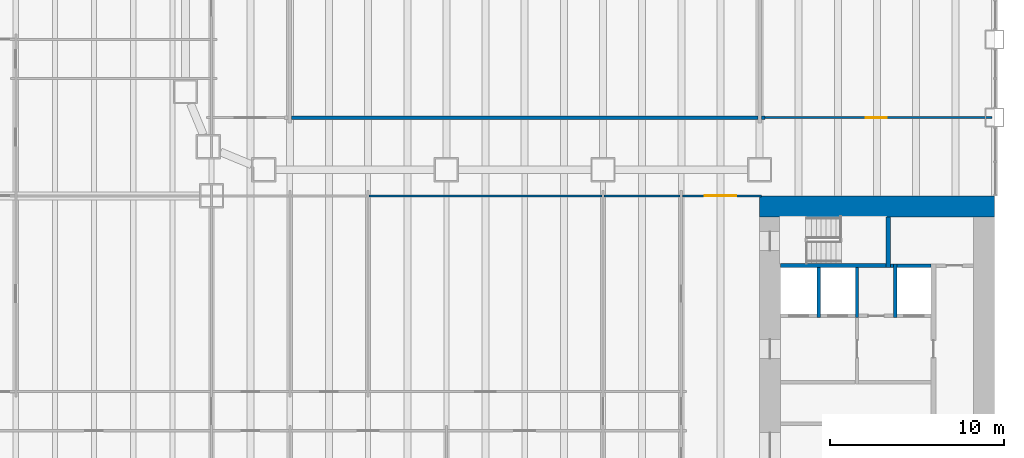
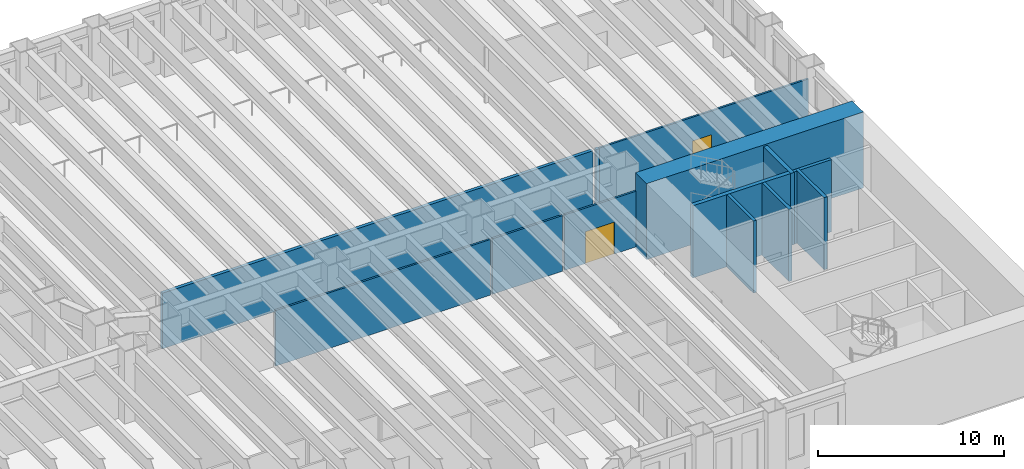
# One storey, part 11 of 19: 14 walls, 2 doors, 2 openings.
"""IFC4 building model written with IfcOpenShell, lengths in metres."""

from ifc_helpers import new_model, si_unit, direction, frame, frame_2d, origin, place, context, subcontext, project, spatial, rectangle, extrude, material, layer, layer_set, type_object, element, fill, save


model = new_model("IFC4")

# Units and contexts
model_context = context("Model", 3, precision=1e-05, world=origin(), true_north=direction((0.0, 1.0)))
body_context = subcontext(model_context, "Body", "Model", "MODEL_VIEW")
ifc_project = project(units=[si_unit("LENGTHUNIT", "METRE"), si_unit("AREAUNIT", "SQUARE_METRE"), si_unit("VOLUMEUNIT", "CUBIC_METRE"), si_unit("PLANEANGLEUNIT", "RADIAN"), si_unit("MASSUNIT", "GRAM", prefix="KILO")], contexts=[model_context])

# Site, building, storey
site_placement = place(None, origin())
site = spatial("IfcSite", under=ifc_project, at=site_placement, CompositionType="ELEMENT")
building_placement = place(site_placement, origin())
building = spatial("IfcBuilding", under=site, at=building_placement, Name="Sennacour Bend Tower", CompositionType="ELEMENT")
storey_placement = place(building_placement, frame((0.0, 0.0, 14.0)))
storey = spatial("IfcBuildingStorey", under=building, at=storey_placement, Name="L02", CompositionType="ELEMENT", Elevation=14.0)

# Walls
ifc_material_1 = material(Name="Concrete C80/95", Category="concrete")
ifc_layer_1 = layer(ifc_material_1, 1.199951171875, Name="Concrete C80/95", Category="concrete")
ifc_layer_set_1 = layer_set([ifc_layer_1], Name="Concrete C80/95")
wall_type_1 = type_object("IfcWallType", Name="Core wall 1200 C80/95", PredefinedType="SHEAR", material=ifc_layer_set_1)
wall_1_placement = place(storey_placement, frame((54.0, 21.89990234375, -0.14990234375), z_axis=(0.0, 0.0, 1.0), x_axis=(1.0, 0.0, 0.0)))
element("IfcWall", 1, at=wall_1_placement, inside=storey, type_object=wall_type_1, Name="Core A wall L02 N", PredefinedType="SHEAR", context=body_context, shape_type="SweptSolid", body=[
    extrude(rectangle(XDim=13.5, YDim=1.199951171875, at=frame_2d((6.75, 0.0))), origin(), (0.0, 0.0, 1.0), 5.0),
])
ifc_material_2 = material(Name="Plasterboard partition on steel studs", Category="steel")
ifc_layer_2 = layer(ifc_material_2, 0.1201171875, Name="Plasterboard partition on steel studs", Category="steel")
ifc_layer_set_2 = layer_set([ifc_layer_2], Name="Plasterboard partition on steel studs")
wall_type_2 = type_object("IfcWallType", Name="Partition 120", PredefinedType="PARTITIONING", material=ifc_layer_set_2)
wall_2_placement = place(storey_placement, frame((31.56005859375, 22.5, 0.0), z_axis=(0.0, 0.0, 1.0), x_axis=(1.0, 0.0, 0.0)))
element("IfcWall", 2, at=wall_2_placement, inside=storey, type_object=wall_type_2, Name="P-L02-W061af", PredefinedType="PARTITIONING", context=body_context, shape_type="SweptSolid", body=[
    extrude(rectangle(XDim=13.3798828125, YDim=0.1201171875, at=frame_2d((6.68994140625, 0.0))), origin(), (0.0, 0.0, 1.0), 3.66015625),
])
wall_3_placement = place(storey_placement, frame((45.06005859375, 22.5, 0.0), z_axis=(0.0, 0.0, 1.0), x_axis=(1.0, 0.0, 0.0)))
element("IfcWall", 3, at=wall_3_placement, inside=storey, type_object=wall_type_2, Name="P-L02-W061ag", PredefinedType="PARTITIONING", context=body_context, shape_type="SweptSolid", body=[
    extrude(rectangle(XDim=4.3798828125, YDim=0.1201171875, at=frame_2d((2.18994140625, 0.0))), origin(), (0.0, 0.0, 1.0), 3.66015625),
])

# Wall, opening, door
wall_4_placement = place(storey_placement, frame((54.300048828125, 27.0, 0.0), z_axis=(0.0, 0.0, 1.0), x_axis=(1.0, 0.0, 0.0)))
wall_4 = element("IfcWall", 4, at=wall_4_placement, inside=storey, type_object=wall_type_2, Name="P-L02-W066a", PredefinedType="PARTITIONING", context=body_context, shape_type="SweptSolid", body=[
    extrude(rectangle(XDim=13.050048828125, YDim=0.1201171875, at=frame_2d((6.52490234375, 0.0))), origin(), (0.0, 0.0, 1.0), 3.66015625),
])
opening_1_placement = place(wall_4_placement, frame((5.81494140625, 0.0, 0.0)))
opening_1 = element("IfcOpeningElement", 5, at=opening_1_placement, cuts=wall_4, Name="Opening MD", PredefinedType="OPENING", context=body_context, shape_type="SweptSolid", body=[
    extrude(rectangle(XDim=1.199951171875, YDim=2.10009765625, at=frame_2d((0.60009765625, 1.050048828125))), frame((0.0, 0.070068359375, 0.0), z_axis=(0.0, -1.0, 0.0), x_axis=(1.0, 0.0, 0.0)), (0.0, 0.0, 1.0), 0.14013671875),
])
ifc_material_3 = material(Name="Timber", Category="wood")
door_type_1 = type_object("IfcDoorType", Name="DR-MEETING-1200", OperationType="NOTDEFINED", PredefinedType="DOOR", material=ifc_material_3)
door_1_placement = place(opening_1_placement, origin())
door_1 = element("IfcDoor", 6, at=door_1_placement, inside=storey, type_object=door_type_1, Name="Door", OperationType="SINGLE_SWING_LEFT", OverallHeight=2.10009765625, OverallWidth=1.199951171875, PredefinedType="DOOR", context=body_context, shape_type="SweptSolid", body=[
    extrude(rectangle(XDim=1.199951171875, YDim=2.10009765625, at=frame_2d((0.60009765625, 1.050048828125))), frame((0.0, 0.02490234375, 0.0), z_axis=(0.0, -1.0, 0.0), x_axis=(1.0, 0.0, 0.0)), (0.0, 0.0, 1.0), 0.050048828125),
])
fill(opening_1, door_1)

ifc_layer_3 = layer(ifc_material_2, 0.1201171875, Name="Plasterboard partition on steel studs", Category="steel")
ifc_layer_set_3 = layer_set([ifc_layer_3], Name="Plasterboard partition on steel studs")
wall_type_3 = type_object("IfcWallType", Name="Partition 120 EI 30", PredefinedType="PARTITIONING", material=ifc_layer_set_3)
wall_5_placement = place(storey_placement, frame((49.56005859375, 22.5, 0.0), z_axis=(0.0, 0.0, 1.0), x_axis=(1.0, 0.0, 0.0)))
wall_5 = element("IfcWall", 7, at=wall_5_placement, inside=storey, type_object=wall_type_3, Name="P-L02-W061ah", PredefinedType="PARTITIONING", context=body_context, shape_type="SweptSolid", body=[
    extrude(rectangle(XDim=4.5400390625, YDim=0.1201171875, at=frame_2d((2.27001953125, 0.0))), origin(), (0.0, 0.0, 1.0), 3.66015625),
])
opening_2_placement = place(wall_5_placement, frame((1.289794921875, 0.0, 0.0)))
opening_2 = element("IfcOpeningElement", 8, at=opening_2_placement, cuts=wall_5, Name="Opening KD3", PredefinedType="OPENING", context=body_context, shape_type="SweptSolid", body=[
    extrude(rectangle(XDim=1.800048828125, YDim=2.10009765625, at=frame_2d((0.89990234375, 1.050048828125))), frame((0.0, 0.070068359375, 0.0), z_axis=(0.0, -1.0, 0.0), x_axis=(1.0, 0.0, 0.0)), (0.0, 0.0, 1.0), 0.14013671875),
])
ifc_material_4 = material(Name="Painted steel", Category="steel")
door_type_2 = type_object("IfcDoorType", Name="DR-CORRIDOR-1800", OperationType="NOTDEFINED", PredefinedType="DOOR", material=ifc_material_4)
door_2_placement = place(opening_2_placement, origin())
door_2 = element("IfcDoor", 9, at=door_2_placement, inside=storey, type_object=door_type_2, Name="Door", OperationType="DOUBLE_DOOR_SINGLE_SWING", OverallHeight=2.10009765625, OverallWidth=1.800048828125, PredefinedType="DOOR", context=body_context, shape_type="SweptSolid", body=[
    extrude(rectangle(XDim=1.800048828125, YDim=2.10009765625, at=frame_2d((0.89990234375, 1.050048828125))), frame((0.0, 0.02490234375, 0.0), z_axis=(0.0, -1.0, 0.0), x_axis=(1.0, 0.0, 0.0)), (0.0, 0.0, 1.0), 0.050048828125),
])
fill(opening_2, door_2)

# Walls
ifc_material_5 = material(Name="Fire-rated plasterboard partition on steel studs", Category="steel")
ifc_layer_4 = layer(ifc_material_5, 0.199951171875, Name="Fire-rated plasterboard partition on steel studs", Category="steel")
ifc_layer_set_4 = layer_set([ifc_layer_4], Name="Fire-rated plasterboard partition on steel studs")
wall_type_4 = type_object("IfcWallType", Name="Rated partition 200", PredefinedType="PARTITIONING", material=ifc_layer_set_4)
wall_6_placement = place(storey_placement, frame((61.52490234375, 18.5, 0.0), z_axis=(0.0, 0.0, 1.0), x_axis=(1.0, 0.0, 0.0)))
element("IfcWall", 10, at=wall_6_placement, inside=storey, type_object=wall_type_4, Name="P-L02-W058", PredefinedType="PARTITIONING", context=body_context, shape_type="SweptSolid", body=[
    extrude(rectangle(XDim=0.175048828125, YDim=0.199951171875, at=frame_2d((0.08740234375, 0.0))), origin(), (0.0, 0.0, 1.0), 4.75),
])
wall_7_placement = place(storey_placement, frame((27.10009765625, 27.0, 0.0), z_axis=(0.0, 0.0, 1.0), x_axis=(1.0, 0.0, 0.0)))
element("IfcWall", 11, at=wall_7_placement, inside=storey, type_object=wall_type_4, Name="P-L02-W065ab", PredefinedType="PARTITIONING", context=body_context, shape_type="SweptSolid", body=[
    extrude(rectangle(XDim=26.7998046875, YDim=0.199951171875, at=frame_2d((13.39990234375, 0.0))), origin(), (0.0, 0.0, 1.0), 3.66015625),
])
wall_8_placement = place(storey_placement, frame((54.10009765625, 27.0, 0.0), z_axis=(0.0, 0.0, 1.0), x_axis=(1.0, 0.0, 0.0)))
element("IfcWall", 12, at=wall_8_placement, inside=storey, type_object=wall_type_4, Name="P-L02-W065ac", PredefinedType="PARTITIONING", context=body_context, shape_type="SweptSolid", body=[
    extrude(rectangle(XDim=0.199951171875, YDim=0.199951171875, at=frame_2d((0.10009765625, 0.0))), origin(), (0.0, 0.0, 1.0), 3.66015625),
])
ifc_material_6 = material(Name="Concrete C50/60", Category="concrete")
ifc_layer_5 = layer(ifc_material_6, 0.199951171875, Name="Concrete C50/60", Category="concrete")
ifc_layer_set_5 = layer_set([ifc_layer_5], Name="Concrete C50/60")
wall_type_5 = type_object("IfcWallType", Name="Shaft wall 200", PredefinedType="SOLIDWALL", material=ifc_layer_set_5)
for number, where, z_axis, x_axis, name in (
    (13, (57.39990234375, 15.5, 0.0), (0.0, 0.0, 1.0), (0.0, 1.0, 0.0), "P-L02-W030"),
    (14, (59.60009765625, 15.5, 0.0), (0.0, 0.0, 1.0), (0.0, 1.0, 0.0), "P-L02-W033"),
):
    element("IfcWall", number, at=place(storey_placement, frame(where, z_axis=z_axis, x_axis=x_axis)), inside=storey, type_object=wall_type_5, Name=name, PredefinedType="SOLIDWALL", context=body_context, shape_type="SweptSolid", body=[
        extrude(rectangle(XDim=2.875, YDim=0.199951171875, at=frame_2d((1.4375, 0.0))), origin(), (0.0, 0.0, 1.0), 4.75),
    ])
wall_9_placement = place(storey_placement, frame((61.800048828125, 15.5, 0.0), z_axis=(0.0, 0.0, 1.0), x_axis=(0.0, 1.0, 0.0)))
element("IfcWall", 15, at=wall_9_placement, inside=storey, type_object=wall_type_5, Name="P-L02-W037", PredefinedType="SOLIDWALL", context=body_context, shape_type="SweptSolid", body=[
    extrude(rectangle(XDim=3.10009765625, YDim=0.199951171875, at=frame_2d((1.550048828125, 0.0))), origin(), (0.0, 0.0, 1.0), 4.75),
])
wall_10_placement = place(storey_placement, frame((61.89990234375, 18.5, 0.0), z_axis=(0.0, 0.0, 1.0), x_axis=(1.0, 0.0, 0.0)))
element("IfcWall", 16, at=wall_10_placement, inside=storey, type_object=wall_type_5, Name="P-L02-W059", PredefinedType="SOLIDWALL", context=body_context, shape_type="SweptSolid", body=[
    extrude(rectangle(XDim=1.9501953125, YDim=0.199951171875, at=frame_2d((0.97509765625, 0.0))), origin(), (0.0, 0.0, 1.0), 4.75),
])
ifc_material_7 = material(Name="Concrete C60/75", Category="concrete")
ifc_layer_6 = layer(ifc_material_7, 0.25, Name="Concrete C60/75", Category="concrete")
ifc_layer_set_6 = layer_set([ifc_layer_6], Name="Concrete C60/75")
wall_type_6 = type_object("IfcWallType", Name="Stair wall 250", PredefinedType="SHEAR", material=ifc_layer_set_6)
wall_11_placement = place(storey_placement, frame((61.39990234375, 18.375, 0.0), z_axis=(0.0, 0.0, 1.0), x_axis=(0.0, 1.0, 0.0)))
element("IfcWall", 17, at=wall_11_placement, inside=storey, type_object=wall_type_6, Name="P-L02-W035", PredefinedType="SHEAR", context=body_context, shape_type="SweptSolid", body=[
    extrude(rectangle(XDim=2.925048828125, YDim=0.25, at=frame_2d((1.46240234375, 0.0))), origin(), (0.0, 0.0, 1.0), 4.75),
])
wall_12_placement = place(storey_placement, frame((55.199951171875, 18.5, 0.0), z_axis=(0.0, 0.0, 1.0), x_axis=(1.0, 0.0, 0.0)))
element("IfcWall", 18, at=wall_12_placement, inside=storey, type_object=wall_type_6, Name="P-L02-W057", PredefinedType="SHEAR", context=body_context, shape_type="SweptSolid", body=[
    extrude(rectangle(XDim=6.074951171875, YDim=0.25, at=frame_2d((3.03759765625, 0.0))), origin(), (0.0, 0.0, 1.0), 4.75),
])

save(model, "model.ifc")
